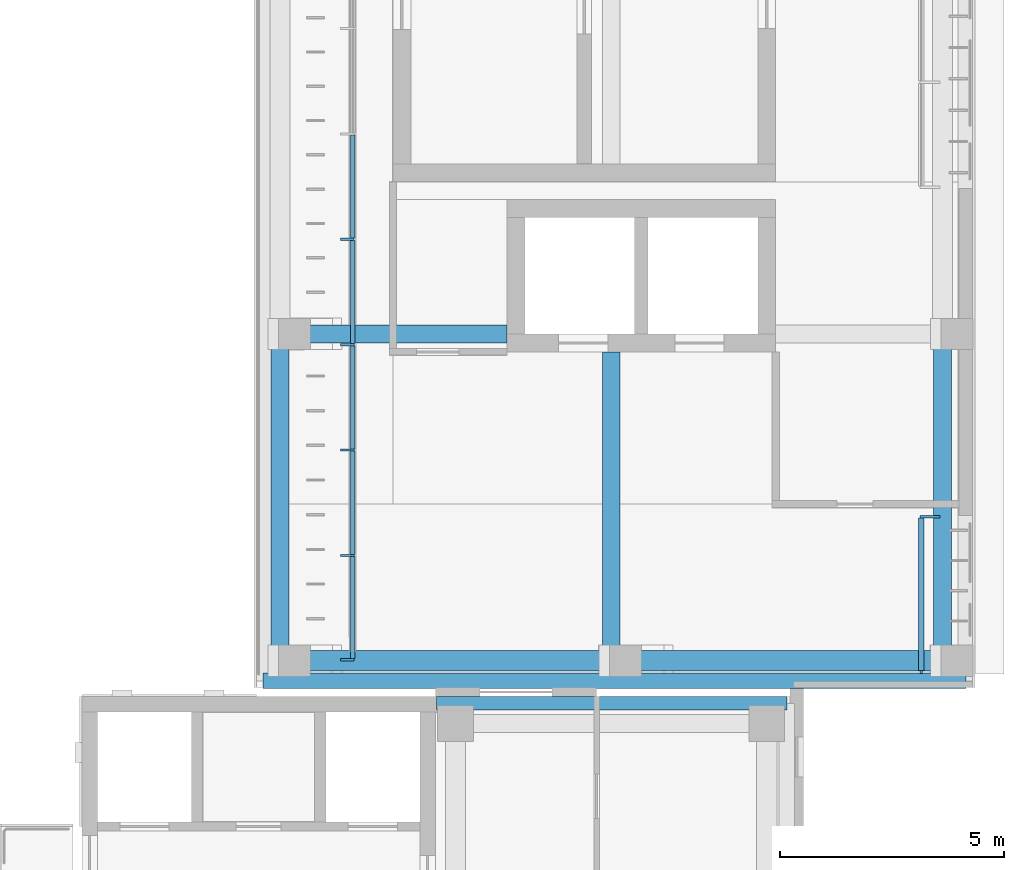
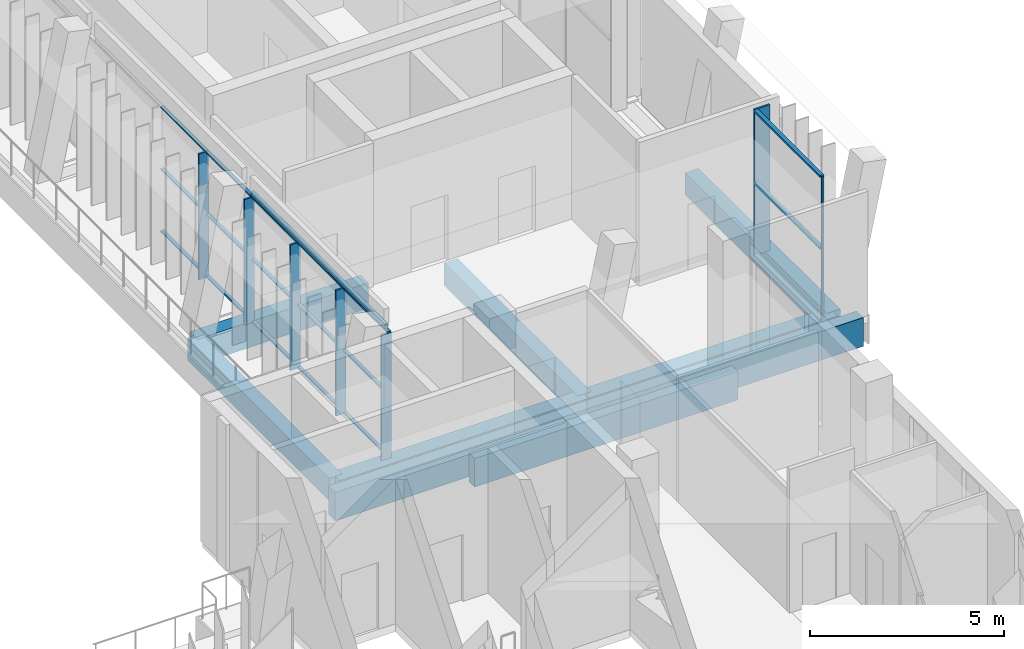
# One storey, part 30 of 74: 25 members, 9 beams, 2 elements without a shape of their own.
"""IFC4 building model written with IfcOpenShell, lengths in metres."""

from ifc_helpers import new_model, si_unit, direction, frame, origin, origin_2d, place, context, subcontext, project, spatial, rectangle, hollow_rectangle, extrude, material, material_profile, profile_set, type_object, element, aggregate, save


model = new_model("IFC4")

# Units and contexts
model_context = context("Model", 3, precision=1e-05, world=origin(), true_north=direction((0.0, 1.0)))
body_context = subcontext(model_context, "Body", "Model", "MODEL_VIEW")
ifc_project = project(units=[si_unit("LENGTHUNIT", "METRE"), si_unit("AREAUNIT", "SQUARE_METRE"), si_unit("VOLUMEUNIT", "CUBIC_METRE"), si_unit("PLANEANGLEUNIT", "RADIAN"), si_unit("MASSUNIT", "GRAM", prefix="KILO")], contexts=[model_context])

# Site, building, storey
site_placement = place(None, origin())
site = spatial("IfcSite", under=ifc_project, at=site_placement, CompositionType="ELEMENT")
building_placement = place(site_placement, origin())
building = spatial("IfcBuilding", under=site, at=building_placement, Name="Lantern Court Media Centre", CompositionType="ELEMENT")
storey_placement = place(building_placement, frame((0.0, 0.0, 19.199951171875)))
storey = spatial("IfcBuildingStorey", under=building, at=storey_placement, Name="L04", CompositionType="ELEMENT", Elevation=19.199951171875)

# Curtain wall, members
ifc_material_1 = material(Name="Curtain wall bay 2400")
curtain_wall_type_1 = type_object("IfcCurtainWallType", Name="Curtain wall bay 2400", PredefinedType="NOTDEFINED", material=ifc_material_1)
curtain_wall_1_placement = place(storey_placement, origin())
curtain_wall_1 = element("IfcCurtainWall", 1, at=curtain_wall_1_placement, inside=storey, type_object=curtain_wall_type_1, Name="Curtain wall E inner L04", PredefinedType="NOTDEFINED")
ifc_material_2 = material(Name="Anodised aluminium", Category="aluminium")
ifc_material_profile_1 = material_profile(ifc_material_2, rectangle(XDim=0.300048828125, YDim=0.050048828125, at=origin_2d()), Name="AL 50x300")
ifc_profile_set_1 = profile_set([ifc_material_profile_1], Name="Anodised aluminium")
member_type_1 = type_object("IfcMemberType", Name="Curtain wall mullion 50x300", PredefinedType="MULLION", material=ifc_profile_set_1)
member_1_placement = place(storey_placement, frame((86.030029296875, 64.72509765625, 0.0), z_axis=(0.0, 0.0, 1.0), x_axis=(-1.0, 0.0, 0.0)))
member_1 = element("IfcMember", 2, at=member_1_placement, type_object=member_type_1, Name="CW2 mullion 1", PredefinedType="MULLION", context=body_context, shape_type="SweptSolid", body=[
    extrude(rectangle(XDim=0.300048828125, YDim=0.050048828125, at=origin_2d()), origin(), (0.0, 0.0, 1.0), 3.949951171875),
])
member_2_placement = place(storey_placement, frame((86.030029296875, 67.053955078125, 0.0), z_axis=(0.0, 0.0, 1.0), x_axis=(-1.0, 0.0, 0.0)))
member_2 = element("IfcMember", 3, at=member_2_placement, type_object=member_type_1, Name="CW2 mullion 2", PredefinedType="MULLION", context=body_context, shape_type="SweptSolid", body=[
    extrude(rectangle(XDim=0.300048828125, YDim=0.050048828125, at=origin_2d()), origin(), (0.0, 0.0, 1.0), 3.949951171875),
])
member_3_placement = place(storey_placement, frame((86.030029296875, 69.40771484375, 0.0), z_axis=(0.0, 0.0, 1.0), x_axis=(-1.0, 0.0, 0.0)))
member_3 = element("IfcMember", 4, at=member_3_placement, type_object=member_type_1, Name="CW2 mullion 3", PredefinedType="MULLION", context=body_context, shape_type="SweptSolid", body=[
    extrude(rectangle(XDim=0.300048828125, YDim=0.050048828125, at=origin_2d()), origin(), (0.0, 0.0, 1.0), 3.949951171875),
])
member_4_placement = place(storey_placement, frame((86.030029296875, 71.761474609375, 0.0), z_axis=(0.0, 0.0, 1.0), x_axis=(-1.0, 0.0, 0.0)))
member_4 = element("IfcMember", 5, at=member_4_placement, type_object=member_type_1, Name="CW2 mullion 4", PredefinedType="MULLION", context=body_context, shape_type="SweptSolid", body=[
    extrude(rectangle(XDim=0.300048828125, YDim=0.050048828125, at=origin_2d()), origin(), (0.0, 0.0, 1.0), 3.949951171875),
])
member_5_placement = place(storey_placement, frame((86.030029296875, 74.115478515625, 0.0), z_axis=(0.0, 0.0, 1.0), x_axis=(-1.0, 0.0, 0.0)))
member_5 = element("IfcMember", 6, at=member_5_placement, type_object=member_type_1, Name="CW2 mullion 5", PredefinedType="MULLION", context=body_context, shape_type="SweptSolid", body=[
    extrude(rectangle(XDim=0.300048828125, YDim=0.050048828125, at=origin_2d()), origin(), (0.0, 0.0, 1.0), 3.949951171875),
])

ifc_material_3 = material(Name="Curtain wall bay 3000")
curtain_wall_type_2 = type_object("IfcCurtainWallType", Name="Curtain wall bay 3000", PredefinedType="NOTDEFINED", material=ifc_material_3)
curtain_wall_2_placement = place(storey_placement, origin())
curtain_wall_2 = element("IfcCurtainWall", 7, at=curtain_wall_2_placement, inside=storey, type_object=curtain_wall_type_2, Name="Curtain wall E outer L04", PredefinedType="NOTDEFINED")
ifc_material_profile_2 = material_profile(ifc_material_2, rectangle(XDim=0.449951171875, YDim=0.06005859375, at=origin_2d()), Name="AL 60x450")
ifc_profile_set_2 = profile_set([ifc_material_profile_2], Name="Anodised aluminium")
member_type_2 = type_object("IfcMemberType", Name="Curtain wall mullion 60x450", PredefinedType="MULLION", material=ifc_profile_set_2)
member_6_placement = place(storey_placement, frame((99.044921875, 67.919921875, 0.0), z_axis=(0.0, 0.0, 1.0), x_axis=(-1.0, 0.0, 0.0)))
member_6 = element("IfcMember", 8, at=member_6_placement, type_object=member_type_2, Name="CW1 mullion 2", PredefinedType="MULLION", context=body_context, shape_type="SweptSolid", body=[
    extrude(rectangle(XDim=0.449951171875, YDim=0.06005859375, at=origin_2d()), origin(), (0.0, 0.0, 1.0), 4.580078125),
])
ifc_material_profile_3 = material_profile(ifc_material_2, rectangle(XDim=0.06005859375, YDim=0.06005859375, at=origin_2d()), Name="AL 60x60")
ifc_profile_set_3 = profile_set([ifc_material_profile_3], Name="Anodised aluminium")
member_type_3 = type_object("IfcMemberType", Name="Curtain wall mullion 60x60", PredefinedType="MULLION", material=ifc_profile_set_3)
member_7_placement = place(storey_placement, frame((98.85009765625, 64.449951171875, 0.0), z_axis=(0.0, 0.0, 1.0), x_axis=(-1.0, 0.0, 0.0)))
member_7 = element("IfcMember", 9, at=member_7_placement, type_object=member_type_3, Name="CW1 mullion 1", PredefinedType="MULLION", context=body_context, shape_type="SweptSolid", body=[
    extrude(rectangle(XDim=0.06005859375, YDim=0.06005859375, at=origin_2d()), origin(), (0.0, 0.0, 1.0), 4.580078125),
])

# Member
ifc_material_profile_4 = material_profile(ifc_material_2, rectangle(XDim=0.10009765625, YDim=0.050048828125, at=origin_2d()), Name="AL 50x100")
ifc_profile_set_4 = profile_set([ifc_material_profile_4], Name="Anodised aluminium")
member_type_4 = type_object("IfcMemberType", Name="Curtain wall transom 100x50", PredefinedType="USERDEFINED", material=ifc_profile_set_4)
member_8_placement = place(storey_placement, frame((86.14990234375, 64.75, 0.025146484375), z_axis=(0.0, 1.0, 0.0), x_axis=(-1.0, 0.0, 0.0)))
member_8 = element("IfcMember", 10, at=member_8_placement, type_object=member_type_4, Name="CW2 transom 1.1", ObjectType="TRANSOM", PredefinedType="USERDEFINED", context=body_context, shape_type="SweptSolid", body=[
    extrude(rectangle(XDim=0.10009765625, YDim=0.050048828125, at=origin_2d()), origin(), (0.0, 0.0, 1.0), 2.27880859375),
])

member_9_placement = place(storey_placement, frame((86.14990234375, 64.75, 1.97509765625), z_axis=(0.0, 1.0, 0.0), x_axis=(-1.0, 0.0, 0.0)))
member_9 = element("IfcMember", 11, at=member_9_placement, type_object=member_type_4, Name="CW2 transom 1.2", ObjectType="TRANSOM", PredefinedType="USERDEFINED", context=body_context, shape_type="SweptSolid", body=[
    extrude(rectangle(XDim=0.10009765625, YDim=0.050048828125, at=origin_2d()), origin(), (0.0, 0.0, 1.0), 2.27880859375),
])

member_10_placement = place(storey_placement, frame((86.14990234375, 64.75, 3.925048828125), z_axis=(0.0, 1.0, 0.0), x_axis=(-1.0, 0.0, 0.0)))
member_10 = element("IfcMember", 12, at=member_10_placement, type_object=member_type_4, Name="CW2 transom 1.3", ObjectType="TRANSOM", PredefinedType="USERDEFINED", context=body_context, shape_type="SweptSolid", body=[
    extrude(rectangle(XDim=0.10009765625, YDim=0.050048828125, at=origin_2d()), origin(), (0.0, 0.0, 1.0), 2.27880859375),
])

member_11_placement = place(storey_placement, frame((86.14990234375, 67.078857421875, 0.025146484375), z_axis=(0.0, 1.0, 0.0), x_axis=(-1.0, 0.0, 0.0)))
member_11 = element("IfcMember", 13, at=member_11_placement, type_object=member_type_4, Name="CW2 transom 2.1", ObjectType="TRANSOM", PredefinedType="USERDEFINED", context=body_context, shape_type="SweptSolid", body=[
    extrude(rectangle(XDim=0.10009765625, YDim=0.050048828125, at=origin_2d()), origin(), (0.0, 0.0, 1.0), 2.303955078125),
])

member_12_placement = place(storey_placement, frame((86.14990234375, 67.078857421875, 1.97509765625), z_axis=(0.0, 1.0, 0.0), x_axis=(-1.0, 0.0, 0.0)))
member_12 = element("IfcMember", 14, at=member_12_placement, type_object=member_type_4, Name="CW2 transom 2.2", ObjectType="TRANSOM", PredefinedType="USERDEFINED", context=body_context, shape_type="SweptSolid", body=[
    extrude(rectangle(XDim=0.10009765625, YDim=0.050048828125, at=origin_2d()), origin(), (0.0, 0.0, 1.0), 2.303955078125),
])

member_13_placement = place(storey_placement, frame((86.14990234375, 67.078857421875, 3.925048828125), z_axis=(0.0, 1.0, 0.0), x_axis=(-1.0, 0.0, 0.0)))
member_13 = element("IfcMember", 15, at=member_13_placement, type_object=member_type_4, Name="CW2 transom 2.3", ObjectType="TRANSOM", PredefinedType="USERDEFINED", context=body_context, shape_type="SweptSolid", body=[
    extrude(rectangle(XDim=0.10009765625, YDim=0.050048828125, at=origin_2d()), origin(), (0.0, 0.0, 1.0), 2.303955078125),
])

member_14_placement = place(storey_placement, frame((86.14990234375, 69.4326171875, 0.025146484375), z_axis=(0.0, 1.0, 0.0), x_axis=(-1.0, 0.0, 0.0)))
member_14 = element("IfcMember", 16, at=member_14_placement, type_object=member_type_4, Name="CW2 transom 3.1", ObjectType="TRANSOM", PredefinedType="USERDEFINED", context=body_context, shape_type="SweptSolid", body=[
    extrude(rectangle(XDim=0.10009765625, YDim=0.050048828125, at=origin_2d()), origin(), (0.0, 0.0, 1.0), 2.303955078125),
])

member_15_placement = place(storey_placement, frame((86.14990234375, 69.4326171875, 1.97509765625), z_axis=(0.0, 1.0, 0.0), x_axis=(-1.0, 0.0, 0.0)))
member_15 = element("IfcMember", 17, at=member_15_placement, type_object=member_type_4, Name="CW2 transom 3.2", ObjectType="TRANSOM", PredefinedType="USERDEFINED", context=body_context, shape_type="SweptSolid", body=[
    extrude(rectangle(XDim=0.10009765625, YDim=0.050048828125, at=origin_2d()), origin(), (0.0, 0.0, 1.0), 2.303955078125),
])

member_16_placement = place(storey_placement, frame((86.14990234375, 69.4326171875, 3.925048828125), z_axis=(0.0, 1.0, 0.0), x_axis=(-1.0, 0.0, 0.0)))
member_16 = element("IfcMember", 18, at=member_16_placement, type_object=member_type_4, Name="CW2 transom 3.3", ObjectType="TRANSOM", PredefinedType="USERDEFINED", context=body_context, shape_type="SweptSolid", body=[
    extrude(rectangle(XDim=0.10009765625, YDim=0.050048828125, at=origin_2d()), origin(), (0.0, 0.0, 1.0), 2.303955078125),
])

member_17_placement = place(storey_placement, frame((86.14990234375, 71.78662109375, 0.025146484375), z_axis=(0.0, 1.0, 0.0), x_axis=(-1.0, 0.0, 0.0)))
member_17 = element("IfcMember", 19, at=member_17_placement, type_object=member_type_4, Name="CW2 transom 4.1", ObjectType="TRANSOM", PredefinedType="USERDEFINED", context=body_context, shape_type="SweptSolid", body=[
    extrude(rectangle(XDim=0.10009765625, YDim=0.050048828125, at=origin_2d()), origin(), (0.0, 0.0, 1.0), 2.3037109375),
])

member_18_placement = place(storey_placement, frame((86.14990234375, 71.78662109375, 1.97509765625), z_axis=(0.0, 1.0, 0.0), x_axis=(-1.0, 0.0, 0.0)))
member_18 = element("IfcMember", 20, at=member_18_placement, type_object=member_type_4, Name="CW2 transom 4.2", ObjectType="TRANSOM", PredefinedType="USERDEFINED", context=body_context, shape_type="SweptSolid", body=[
    extrude(rectangle(XDim=0.10009765625, YDim=0.050048828125, at=origin_2d()), origin(), (0.0, 0.0, 1.0), 2.3037109375),
])

member_19_placement = place(storey_placement, frame((86.14990234375, 71.78662109375, 3.925048828125), z_axis=(0.0, 1.0, 0.0), x_axis=(-1.0, 0.0, 0.0)))
member_19 = element("IfcMember", 21, at=member_19_placement, type_object=member_type_4, Name="CW2 transom 4.3", ObjectType="TRANSOM", PredefinedType="USERDEFINED", context=body_context, shape_type="SweptSolid", body=[
    extrude(rectangle(XDim=0.10009765625, YDim=0.050048828125, at=origin_2d()), origin(), (0.0, 0.0, 1.0), 2.3037109375),
])

member_20_placement = place(storey_placement, frame((86.14990234375, 74.140380859375, 0.025146484375), z_axis=(0.0, 1.0, 0.0), x_axis=(-1.0, 0.0, 0.0)))
member_20 = element("IfcMember", 22, at=member_20_placement, type_object=member_type_4, Name="CW2 transom 5.1", ObjectType="TRANSOM", PredefinedType="USERDEFINED", context=body_context, shape_type="SweptSolid", body=[
    extrude(rectangle(XDim=0.10009765625, YDim=0.050048828125, at=origin_2d()), origin(), (0.0, 0.0, 1.0), 2.303955078125),
])

member_21_placement = place(storey_placement, frame((86.14990234375, 74.140380859375, 1.97509765625), z_axis=(0.0, 1.0, 0.0), x_axis=(-1.0, 0.0, 0.0)))
member_21 = element("IfcMember", 23, at=member_21_placement, type_object=member_type_4, Name="CW2 transom 5.2", ObjectType="TRANSOM", PredefinedType="USERDEFINED", context=body_context, shape_type="SweptSolid", body=[
    extrude(rectangle(XDim=0.10009765625, YDim=0.050048828125, at=origin_2d()), origin(), (0.0, 0.0, 1.0), 2.303955078125),
])

member_22_placement = place(storey_placement, frame((86.14990234375, 74.140380859375, 3.925048828125), z_axis=(0.0, 1.0, 0.0), x_axis=(-1.0, 0.0, 0.0)))
member_22 = element("IfcMember", 24, at=member_22_placement, type_object=member_type_4, Name="CW2 transom 5.3", ObjectType="TRANSOM", PredefinedType="USERDEFINED", context=body_context, shape_type="SweptSolid", body=[
    extrude(rectangle(XDim=0.10009765625, YDim=0.050048828125, at=origin_2d()), origin(), (0.0, 0.0, 1.0), 2.303955078125),
])

aggregate(curtain_wall_1, [member_1, member_2, member_3, member_4, member_5, member_8, member_9, member_10, member_11, member_12, member_13, member_14, member_15, member_16, member_17, member_18, member_19, member_20, member_21, member_22])

ifc_material_profile_5 = material_profile(ifc_material_2, rectangle(XDim=0.1201171875, YDim=0.06005859375, at=origin_2d()), Name="AL 60x120")
ifc_profile_set_5 = profile_set([ifc_material_profile_5], Name="Anodised aluminium")
member_type_5 = type_object("IfcMemberType", Name="Curtain wall transom 60x120", PredefinedType="USERDEFINED", material=ifc_profile_set_5)
member_23_placement = place(storey_placement, frame((98.85009765625, 64.47998046875, 0.030029296875), z_axis=(0.0, 1.0, 0.0), x_axis=(-1.0, 0.0, 0.0)))
member_23 = element("IfcMember", 25, at=member_23_placement, type_object=member_type_5, Name="CW1 transom 1.1", ObjectType="TRANSOM", PredefinedType="USERDEFINED", context=body_context, shape_type="SweptSolid", body=[
    extrude(rectangle(XDim=0.1201171875, YDim=0.06005859375, at=origin_2d()), origin(), (0.0, 0.0, 1.0), 3.409912109375),
])

member_24_placement = place(storey_placement, frame((98.85009765625, 64.47998046875, 2.2900390625), z_axis=(0.0, 1.0, 0.0), x_axis=(-1.0, 0.0, 0.0)))
member_24 = element("IfcMember", 26, at=member_24_placement, type_object=member_type_5, Name="CW1 transom 1.2", ObjectType="TRANSOM", PredefinedType="USERDEFINED", context=body_context, shape_type="SweptSolid", body=[
    extrude(rectangle(XDim=0.1201171875, YDim=0.06005859375, at=origin_2d()), origin(), (0.0, 0.0, 1.0), 3.409912109375),
])

member_25_placement = place(storey_placement, frame((98.85009765625, 64.47998046875, 4.550048828125), z_axis=(0.0, 1.0, 0.0), x_axis=(-1.0, 0.0, 0.0)))
member_25 = element("IfcMember", 27, at=member_25_placement, type_object=member_type_5, Name="CW1 transom 1.3", ObjectType="TRANSOM", PredefinedType="USERDEFINED", context=body_context, shape_type="SweptSolid", body=[
    extrude(rectangle(XDim=0.1201171875, YDim=0.06005859375, at=origin_2d()), origin(), (0.0, 0.0, 1.0), 3.409912109375),
])

aggregate(curtain_wall_2, [member_7, member_6, member_23, member_24, member_25])

# Beams
ifc_material_4 = material(Name="Steel S355J2 (EN 10025-2)", Category="steel")
ifc_material_profile_6 = material_profile(ifc_material_4, hollow_rectangle(XDim=0.10009765625, YDim=0.14990234375, WallThickness=0.00634765625, InnerFilletRadius=0.00634765625, OuterFilletRadius=0.009521484375, at=origin_2d()), Name="Facade head lintel RHS 150x100x6.3")
ifc_profile_set_6 = profile_set([ifc_material_profile_6], Name="Steel S355J2 (EN 10025-2)")
beam_type_1 = type_object("IfcBeamType", Name="Facade head lintel RHS 150x100x6.3", PredefinedType="BEAM", material=ifc_profile_set_6)
beam_1_placement = place(storey_placement, frame((86.14990234375, 64.89990234375, 4.025146484375), z_axis=(0.0, 1.0, 0.0), x_axis=(-1.0, 0.0, 0.0)))
element("IfcBeam", 28, at=beam_1_placement, inside=storey, type_object=beam_type_1, Name="Facade head lintel E L04", PredefinedType="BEAM", context=body_context, shape_type="SweptSolid", body=[
    extrude(hollow_rectangle(XDim=0.10009765625, YDim=0.14990234375, WallThickness=0.00634765625, InnerFilletRadius=0.00634765625, OuterFilletRadius=0.009521484375, at=origin_2d()), origin(), (0.0, 0.0, 1.0), 6.900146484375),
])
ifc_material_5 = material(Name="Concrete C35", Category="concrete")
ifc_material_profile_7 = material_profile(ifc_material_5, rectangle(XDim=0.300048828125, YDim=0.89990234375, at=origin_2d()), Name="RC 300x900")
ifc_profile_set_7 = profile_set([ifc_material_profile_7], Name="Concrete C35")
beam_type_2 = type_object("IfcBeamType", Name="RC BEAM 300x900", PredefinedType="BEAM", material=ifc_profile_set_7)
beam_2_placement = place(storey_placement, frame((88.02001953125, 63.75, -0.449951171875), z_axis=(1.0, 0.0, 0.0), x_axis=(0.0, 1.0, 0.0)))
element("IfcBeam", 29, at=beam_2_placement, inside=storey, type_object=beam_type_2, Name="EB-SE-L04-N", PredefinedType="BEAM", context=body_context, shape_type="SweptSolid", body=[
    extrude(rectangle(XDim=0.300048828125, YDim=0.89990234375, at=origin_2d()), origin(), (0.0, 0.0, 1.0), 7.830078125),
])
ifc_material_profile_8 = material_profile(ifc_material_5, rectangle(XDim=0.35009765625, YDim=0.89990234375, at=origin_2d()), Name="RC 350x900")
ifc_profile_set_8 = profile_set([ifc_material_profile_8], Name="Concrete C35")
beam_type_3 = type_object("IfcBeamType", Name="RC BEAM 350x900", PredefinedType="BEAM", material=ifc_profile_set_8)
beam_3_placement = place(storey_placement, frame((84.14990234375, 64.25, -0.449951171875), z_axis=(1.0, 0.0, 0.0), x_axis=(0.0, 1.0, 0.0)))
element("IfcBeam", 30, at=beam_3_placement, inside=storey, type_object=beam_type_3, Name="EB-E-L04-C", PredefinedType="BEAM", context=body_context, shape_type="SweptSolid", body=[
    extrude(rectangle(XDim=0.35009765625, YDim=0.89990234375, at=origin_2d()), origin(), (0.0, 0.0, 1.0), 15.7001953125),
])
ifc_material_profile_9 = material_profile(ifc_material_5, rectangle(XDim=0.39990234375, YDim=0.699951171875, at=origin_2d()), Name="RC 400x700")
ifc_profile_set_9 = profile_set([ifc_material_profile_9], Name="Concrete C35")
beam_type_4 = type_object("IfcBeamType", Name="RC BEAM 400x700", PredefinedType="BEAM", material=ifc_profile_set_9)
beam_4_placement = place(storey_placement, frame((84.527099609375, 64.699951171875, -0.349853515625), z_axis=(0.0, 1.0, 0.0), x_axis=(-1.0, 0.0, 0.0)))
element("IfcBeam", 31, at=beam_4_placement, inside=storey, type_object=beam_type_4, Name="LB-E-L04-0-0", PredefinedType="BEAM", context=body_context, shape_type="SweptSolid", body=[
    extrude(rectangle(XDim=0.39990234375, YDim=0.699951171875, at=origin_2d()), origin(), (0.0, 0.0, 1.0), 7.300048828125),
])
beam_5_placement = place(storey_placement, frame((91.927001953125, 64.699951171875, -0.349853515625), z_axis=(0.0, 1.0, 0.0), x_axis=(-1.0, 0.0, 0.0)))
element("IfcBeam", 32, at=beam_5_placement, inside=storey, type_object=beam_type_4, Name="LB-E-L04-1-0", PredefinedType="BEAM", context=body_context, shape_type="SweptSolid", body=[
    extrude(rectangle(XDim=0.39990234375, YDim=0.699951171875, at=origin_2d()), origin(), (0.0, 0.0, 1.0), 6.900146484375),
])
beam_6_placement = place(storey_placement, frame((99.3271484375, 64.699951171875, -0.349853515625), z_axis=(0.0, 1.0, 0.0), x_axis=(-1.0, 0.0, 0.0)))
element("IfcBeam", 33, at=beam_6_placement, inside=storey, type_object=beam_type_4, Name="LB-E-L04-2-0", PredefinedType="BEAM", context=body_context, shape_type="SweptSolid", body=[
    extrude(rectangle(XDim=0.39990234375, YDim=0.699951171875, at=origin_2d()), origin(), (0.0, 0.0, 1.0), 7.300048828125),
])
ifc_material_profile_10 = material_profile(ifc_material_5, rectangle(XDim=0.39990234375, YDim=0.800048828125, at=origin_2d()), Name="RC 400x800")
ifc_profile_set_10 = profile_set([ifc_material_profile_10], Name="Concrete C35")
beam_type_5 = type_object("IfcBeamType", Name="RC BEAM 400x800", PredefinedType="BEAM", material=ifc_profile_set_10)
beam_7_placement = place(storey_placement, frame((84.5166015625, 72.0, -0.39990234375), z_axis=(1.0, 0.0, 0.0), x_axis=(0.0, 1.0, 0.0)))
element("IfcBeam", 34, at=beam_7_placement, inside=storey, type_object=beam_type_5, Name="TB-E-L04-1-1", PredefinedType="BEAM", context=body_context, shape_type="SweptSolid", body=[
    extrude(rectangle(XDim=0.39990234375, YDim=0.800048828125, at=origin_2d()), origin(), (0.0, 0.0, 1.0), 5.08349609375),
])
ifc_material_profile_11 = material_profile(ifc_material_5, rectangle(XDim=0.449951171875, YDim=0.800048828125, at=origin_2d()), Name="RC 450x800")
ifc_profile_set_11 = profile_set([ifc_material_profile_11], Name="Concrete C35")
beam_type_6 = type_object("IfcBeamType", Name="RC BEAM 450x800", PredefinedType="BEAM", material=ifc_profile_set_11)
beam_8_placement = place(storey_placement, frame((84.5166015625, 64.699951171875, -0.39990234375), z_axis=(1.0, 0.0, 0.0), x_axis=(0.0, 1.0, 0.0)))
element("IfcBeam", 35, at=beam_8_placement, inside=storey, type_object=beam_type_6, Name="TB-E-L04-0-1", PredefinedType="BEAM", context=body_context, shape_type="SweptSolid", body=[
    extrude(rectangle(XDim=0.449951171875, YDim=0.800048828125, at=origin_2d()), origin(), (0.0, 0.0, 1.0), 7.400146484375),
])
beam_9_placement = place(storey_placement, frame((91.916748046875, 64.699951171875, -0.39990234375), z_axis=(1.0, 0.0, 0.0), x_axis=(0.0, 1.0, 0.0)))
element("IfcBeam", 36, at=beam_9_placement, inside=storey, type_object=beam_type_6, Name="TB-E-L04-0-2", PredefinedType="BEAM", context=body_context, shape_type="SweptSolid", body=[
    extrude(rectangle(XDim=0.449951171875, YDim=0.800048828125, at=origin_2d()), origin(), (0.0, 0.0, 1.0), 7.39990234375),
])

save(model, "model.ifc")
